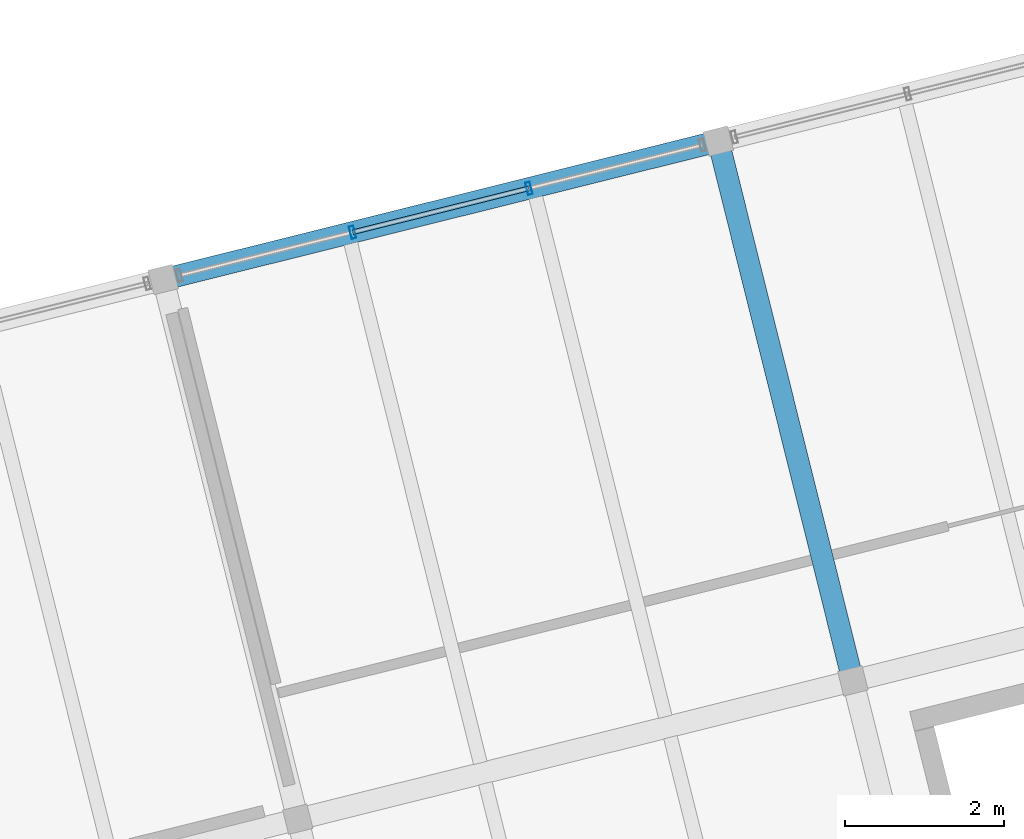
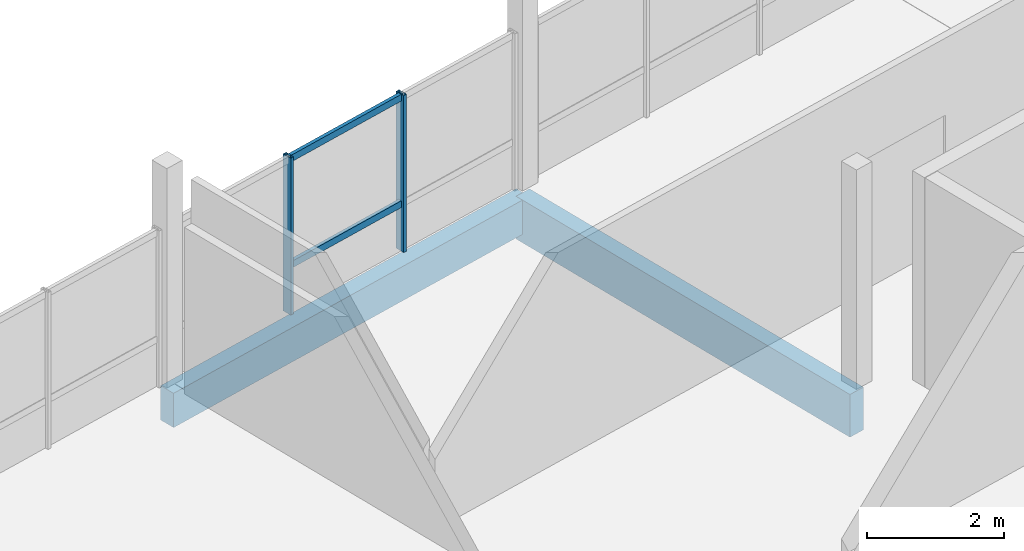
# One storey, part 14 of 25: 4 members, 2 beams, 1 element without a shape of its own.
"""IFC4 building model written with IfcOpenShell, lengths in metres."""

from ifc_helpers import new_model, si_unit, direction, frame, origin, origin_2d, place, context, subcontext, project, spatial, rectangle, hollow_rectangle, extrude, material, layer, layer_set, material_profile, profile_set, type_object, element, aggregate, save


model = new_model("IFC4")

# Units and contexts
model_context = context("Model", 3, precision=1e-05, world=origin(), true_north=direction((0.0, 1.0)))
body_context = subcontext(model_context, "Body", "Model", "MODEL_VIEW")
ifc_project = project(units=[si_unit("LENGTHUNIT", "METRE"), si_unit("AREAUNIT", "SQUARE_METRE"), si_unit("VOLUMEUNIT", "CUBIC_METRE"), si_unit("PLANEANGLEUNIT", "RADIAN"), si_unit("MASSUNIT", "GRAM", prefix="KILO")], contexts=[model_context])

# Site, building, storey
site_placement = place(None, origin())
site = spatial("IfcSite", under=ifc_project, at=site_placement, CompositionType="ELEMENT")
building_placement = place(site_placement, origin())
building = spatial("IfcBuilding", under=site, at=building_placement, Name="Meriwether Solvik Hall", CompositionType="ELEMENT")
storey_placement = place(building_placement, frame((0.0, 0.0, 49.5)))
storey = spatial("IfcBuildingStorey", under=building, at=storey_placement, Name="L12", CompositionType="ELEMENT", Elevation=49.5)

# Beams
ifc_material_1 = material(Name="Glulam Douglas-Fir 24F-V8 GL28h", Category="wood")
ifc_material_profile_1 = material_profile(ifc_material_1, rectangle(XDim=0.27294921875, YDim=0.610107421875, at=origin_2d()), Name="GLB-273X610")
ifc_profile_set_1 = profile_set([ifc_material_profile_1], Name="Glulam Douglas-Fir 24F-V8 GL28h")
beam_type_1 = type_object("IfcBeamType", Name="BM-GL-273X610", PredefinedType="SPANDREL", material=ifc_profile_set_1)
beam_1_placement = place(storey_placement, frame((76.1865234375, 71.94873046875, -0.485107421875), z_axis=(0.970291911955, 0.241937193493, 0.0), x_axis=(-0.241937193493, 0.970291911955, 0.0)))
element("IfcBeam", 1, at=beam_1_placement, inside=storey, type_object=beam_type_1, Name="Tower Girder TE:T3-T4 (L12)", PredefinedType="SPANDREL", context=body_context, shape_type="SweptSolid", body=[
    extrude(rectangle(XDim=0.27294921875, YDim=0.610107421875, at=origin_2d()), origin(), (0.0, 0.0, 1.0), 7.199951171875),
])
ifc_material_2 = material(Name="Glulam Douglas-Fir 24F-V8 GL28h", Category="wood")
ifc_material_profile_2 = material_profile(ifc_material_2, rectangle(XDim=0.27294921875, YDim=0.760009765625, at=origin_2d()), Name="GLB-273X760")
ifc_profile_set_2 = profile_set([ifc_material_profile_2], Name="Glulam Douglas-Fir 24F-V8 GL28h")
beam_type_2 = type_object("IfcBeamType", Name="BM-GL-273X760", PredefinedType="BEAM", material=ifc_profile_set_2)
beam_2_placement = place(storey_placement, frame((84.8662109375, 66.8984375, -0.56005859375), z_axis=(-0.241936527961, 0.970292077901, 0.0), x_axis=(-0.970292077901, -0.241936527961, 0.0)))
element("IfcBeam", 2, at=beam_2_placement, inside=storey, type_object=beam_type_2, Name="Tower Girder T4:TD-TE (L12)", PredefinedType="BEAM", context=body_context, shape_type="SweptSolid", body=[
    extrude(rectangle(XDim=0.27294921875, YDim=0.760009765625, at=origin_2d()), origin(), (0.0, 0.0, 1.0), 7.000244140625),
])

# Curtain wall, members
ifc_material_3 = material(Name="Thermally Broken Anodised Aluminium 6063-T6 and Low-E Glass", Category="aluminium")
ifc_layer = layer(ifc_material_3, 0.179931640625)
ifc_layer_set = layer_set([ifc_layer], Name="Thermally Broken Anodised Aluminium 6063-T6 and Low-E Glass")
curtain_wall_type = type_object("IfcCurtainWallType", Name="CW-UNIT-G", PredefinedType="USERDEFINED", material=ifc_layer_set)
curtain_wall_placement = place(storey_placement, origin())
curtain_wall = element("IfcCurtainWall", 3, at=curtain_wall_placement, inside=storey, type_object=curtain_wall_type, Name="Curtain Wall E2_B2 (L12)", ObjectType="UNITISED CURTAIN WALL", PredefinedType="USERDEFINED")
ifc_material_4 = material(Name="Anodised Aluminium 6063-T6", Category="aluminium")
ifc_material_profile_3 = material_profile(ifc_material_4, hollow_rectangle(XDim=0.06005859375, YDim=0.159912109375, WallThickness=0.00390625, at=origin_2d()), Name="CWM-60X160")
ifc_profile_set_3 = profile_set([ifc_material_profile_3], Name="Anodised Aluminium 6063-T6")
member_type_1 = type_object("IfcMemberType", Name="CW-MUL-60X160", PredefinedType="MULLION", material=ifc_profile_set_3)
member_1_placement = place(storey_placement, frame((78.570068359375, 72.54296875, 0.0), z_axis=(0.0, 0.0, 1.0), x_axis=(0.970295730764, 0.241921877598, 0.0)))
member_1 = element("IfcMember", 4, at=member_1_placement, type_object=member_type_1, Name="Curtain Wall Mullion 2", PredefinedType="MULLION", context=body_context, shape_type="SweptSolid", body=[
    extrude(hollow_rectangle(XDim=0.06005859375, YDim=0.159912109375, WallThickness=0.00390625, at=origin_2d()), origin(), (0.0, 0.0, 1.0), 2.7900390625),
])
member_2_placement = place(storey_placement, frame((80.7890625, 73.09619140625, 0.0), z_axis=(0.0, 0.0, 1.0), x_axis=(0.970295730764, 0.241921877598, 0.0)))
member_2 = element("IfcMember", 5, at=member_2_placement, type_object=member_type_1, Name="Curtain Wall Mullion 3", PredefinedType="MULLION", context=body_context, shape_type="SweptSolid", body=[
    extrude(hollow_rectangle(XDim=0.06005859375, YDim=0.159912109375, WallThickness=0.00390625, at=origin_2d()), origin(), (0.0, 0.0, 1.0), 2.7900390625),
])
ifc_material_5 = material(Name="Anodised Aluminium 6063-T6", Category="aluminium")
ifc_material_profile_4 = material_profile(ifc_material_5, hollow_rectangle(XDim=0.06005859375, YDim=0.1201171875, WallThickness=0.00390625, at=origin_2d()), Name="CWT-60X120")
ifc_profile_set_4 = profile_set([ifc_material_profile_4], Name="Anodised Aluminium 6063-T6")
member_type_2 = type_object("IfcMemberType", Name="CW-TRN-60X120", PredefinedType="USERDEFINED", material=ifc_profile_set_4)
member_3_placement = place(storey_placement, frame((78.570068359375, 72.54296875, 0.8369140625), z_axis=(0.97029929005, 0.241907601634, 0.0), x_axis=(-0.241907601634, 0.97029929005, 0.0)))
member_3 = element("IfcMember", 6, at=member_3_placement, type_object=member_type_2, Name="Curtain Wall Transom 2-sill", ObjectType="TRANSOM", PredefinedType="USERDEFINED", context=body_context, shape_type="SweptSolid", body=[
    extrude(hollow_rectangle(XDim=0.06005859375, YDim=0.1201171875, WallThickness=0.00390625, at=origin_2d()), origin(), (0.0, 0.0, 1.0), 2.286865234375),
])
member_4_placement = place(storey_placement, frame((78.570068359375, 72.54296875, 2.72998046875), z_axis=(0.97029929005, 0.241907601634, 0.0), x_axis=(-0.241907601634, 0.97029929005, 0.0)))
member_4 = element("IfcMember", 7, at=member_4_placement, type_object=member_type_2, Name="Curtain Wall Transom 2-head", ObjectType="TRANSOM", PredefinedType="USERDEFINED", context=body_context, shape_type="SweptSolid", body=[
    extrude(hollow_rectangle(XDim=0.06005859375, YDim=0.1201171875, WallThickness=0.00390625, at=origin_2d()), origin(), (0.0, 0.0, 1.0), 2.286865234375),
])
aggregate(curtain_wall, [member_1, member_2, member_3, member_4])

save(model, "model.ifc")
